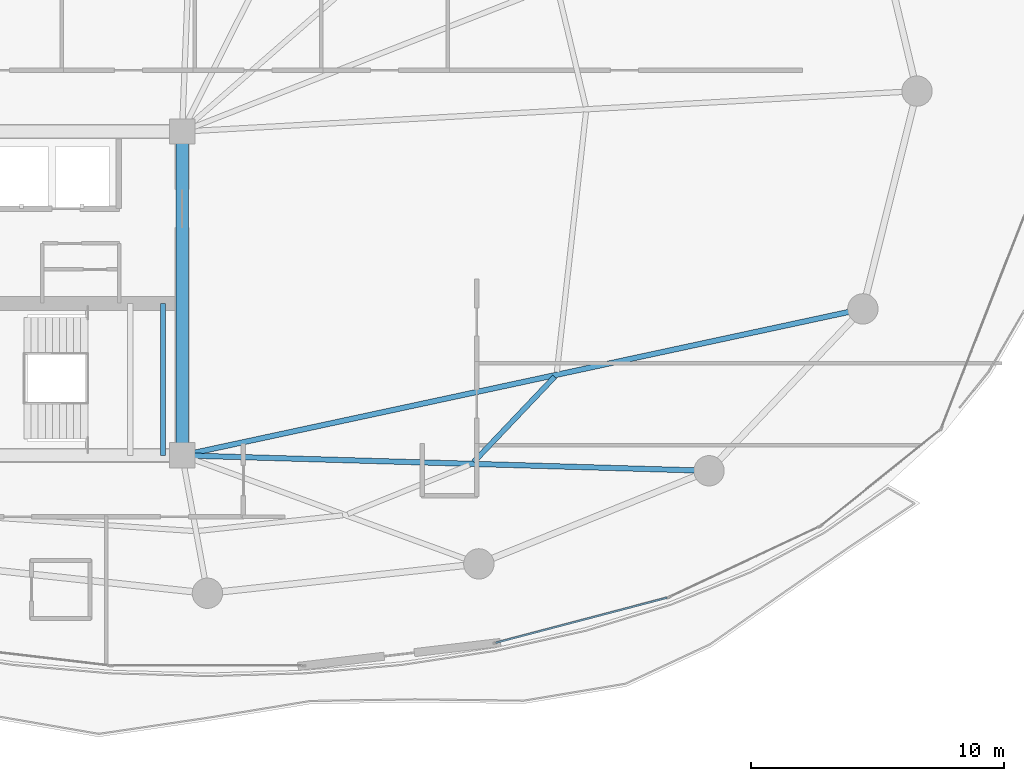
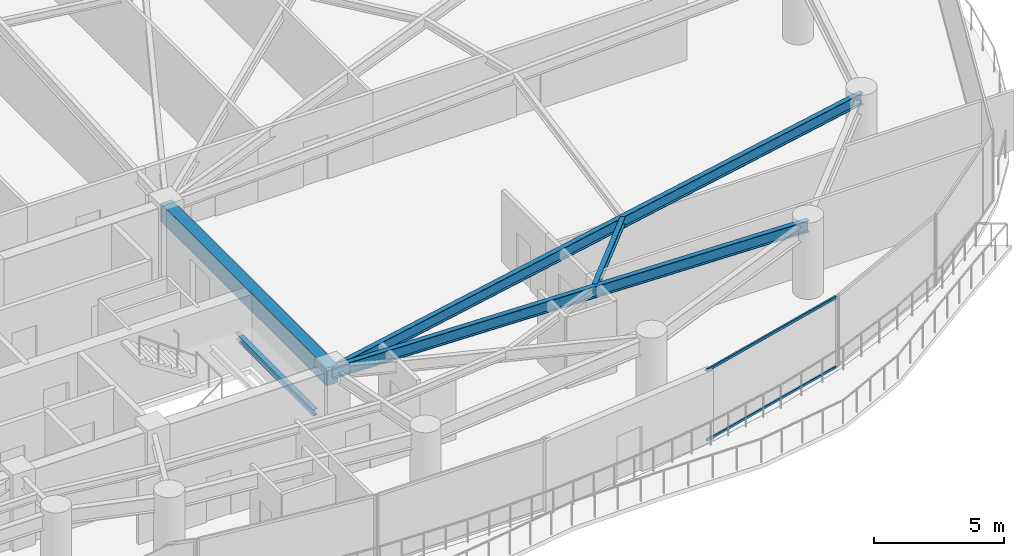
# One storey, part 13 of 33: 5 beams, 2 members, 1 element without a shape of its own.
"""IFC4 building model written with IfcOpenShell, lengths in metres."""

from ifc_helpers import new_model, si_unit, direction, frame, origin, origin_2d, place, context, subcontext, project, spatial, rectangle, hollow_rectangle, i_section, extrude, material, layer, layer_set, material_profile, profile_set, type_object, element, aggregate, save


model = new_model("IFC4")

# Units and contexts
model_context = context("Model", 3, precision=1e-05, world=origin(), true_north=direction((0.0, 1.0)))
body_context = subcontext(model_context, "Body", "Model", "MODEL_VIEW")
ifc_project = project(units=[si_unit("LENGTHUNIT", "METRE"), si_unit("AREAUNIT", "SQUARE_METRE"), si_unit("VOLUMEUNIT", "CUBIC_METRE"), si_unit("PLANEANGLEUNIT", "RADIAN"), si_unit("MASSUNIT", "GRAM", prefix="KILO")], contexts=[model_context])

# Site, building, storey
site_placement = place(None, origin())
site = spatial("IfcSite", under=ifc_project, at=site_placement, CompositionType="ELEMENT")
building_placement = place(site_placement, origin())
building = spatial("IfcBuilding", under=site, at=building_placement, Name="Kazevale Care Tower and Concert Hall", CompositionType="ELEMENT")
storey_placement = place(building_placement, frame((0.0, 0.0, 153.0)))
storey = spatial("IfcBuildingStorey", under=building, at=storey_placement, Name="L40", CompositionType="ELEMENT", Elevation=153.0)

# Curtain wall, members
ifc_material_1 = material(Name="Aluminium 6063-T6 and Low-E Glass", Category="aluminium")
ifc_layer = layer(ifc_material_1, 0.179931640625)
ifc_layer_set = layer_set([ifc_layer], Name="Aluminium 6063-T6 and Low-E Glass")
curtain_wall_type = type_object("IfcCurtainWallType", Name="Sheltered Concave Balcony Curtain Wall CW-5", PredefinedType="NOTDEFINED", material=ifc_layer_set)
curtain_wall_placement = place(storey_placement, origin())
curtain_wall = element("IfcCurtainWall", 1, at=curtain_wall_placement, inside=storey, type_object=curtain_wall_type, Name="cw:L40:f04", PredefinedType="NOTDEFINED")
ifc_material_2 = material(Name="Aluminium 6063-T6", Category="aluminium")
ifc_material_profile_1 = material_profile(ifc_material_2, hollow_rectangle(XDim=0.074951171875, YDim=0.1201171875, WallThickness=0.00390625, at=origin_2d()), Name="ALU75x120x4")
ifc_profile_set_1 = profile_set([ifc_material_profile_1], Name="Aluminium 6063-T6")
member_type = type_object("IfcMemberType", Name="CW-5 Transom ALU75x120x4", PredefinedType="USERDEFINED", material=ifc_profile_set_1)
member_1_placement = place(storey_placement, frame((63.16845703125, 17.971923828125, 0.03759765625), z_axis=(-0.967142752699, -0.254233939321, 0.0), x_axis=(0.254233939321, -0.967142752699, 0.0)))
member_1 = element("IfcMember", 2, at=member_1_placement, type_object=member_type, Name="CW-5 transom 1.1", ObjectType="TRANSOM", PredefinedType="USERDEFINED", context=body_context, shape_type="SweptSolid", body=[
    extrude(hollow_rectangle(XDim=0.074951171875, YDim=0.1201171875, WallThickness=0.00390625, at=origin_2d()), origin(), (0.0, 0.0, 1.0), 6.996826171875),
])
member_2_placement = place(storey_placement, frame((63.16845703125, 17.971923828125, 3.322509765625), z_axis=(-0.967142752699, -0.254233939321, 0.0), x_axis=(0.254233939321, -0.967142752699, 0.0)))
member_2 = element("IfcMember", 3, at=member_2_placement, type_object=member_type, Name="CW-5 transom 1.2", ObjectType="TRANSOM", PredefinedType="USERDEFINED", context=body_context, shape_type="SweptSolid", body=[
    extrude(hollow_rectangle(XDim=0.074951171875, YDim=0.1201171875, WallThickness=0.00390625, at=origin_2d()), origin(), (0.0, 0.0, 1.0), 6.996826171875),
])
aggregate(curtain_wall, [member_1, member_2])

# Beams
ifc_material_3 = material(Name="Concrete C60", Category="concrete")
ifc_material_profile_2 = material_profile(ifc_material_3, rectangle(XDim=0.5, YDim=0.85009765625, at=origin_2d()), Name="RC-B500x850")
ifc_profile_set_2 = profile_set([ifc_material_profile_2], Name="Concrete C60")
beam_type_1 = type_object("IfcBeamType", Name="Core Coupling Beam RC500x850", PredefinedType="LINTEL", material=ifc_profile_set_2)
beam_1_placement = place(storey_placement, frame((44.0, 23.60009765625, 2.93505859375), z_axis=(0.0, 1.0, 0.0), x_axis=(-1.0, 0.0, 0.0)))
element("IfcBeam", 4, at=beam_1_placement, inside=storey, type_object=beam_type_1, Name="beam:L40:coretie:4", PredefinedType="LINTEL", context=body_context, shape_type="SweptSolid", body=[
    extrude(rectangle(XDim=0.5, YDim=0.85009765625, at=origin_2d()), origin(), (0.0, 0.0, 1.0), 12.7998046875),
])
ifc_material_4 = material(Name="Steel ASTM A572 Gr 50", Category="steel")
ifc_material_profile_3 = material_profile(ifc_material_4, i_section(OverallWidth=0.2119140625, OverallDepth=0.5439453125, WebThickness=0.01318359375, FlangeThickness=0.021240234375, at=origin_2d()), Name="W530x123")
ifc_profile_set_3 = profile_set([ifc_material_profile_3], Name="Steel ASTM A572 Gr 50")
beam_type_2 = type_object("IfcBeamType", Name="Radial Floor Girder W530x123", PredefinedType="BEAM", material=ifc_profile_set_3)
beam_2_placement = place(storey_placement, frame((44.0, 23.60009765625, 3.087890625), z_axis=(0.99957133157, -0.029277177187, 0.0), x_axis=(0.029277177187, 0.99957133157, 0.0)))
element("IfcBeam", 5, at=beam_2_placement, inside=storey, type_object=beam_type_2, Name="beam:L40:rad:15", PredefinedType="BEAM", context=body_context, shape_type="SweptSolid", body=[
    extrude(i_section(OverallWidth=0.2119140625, OverallDepth=0.5439453125, WebThickness=0.01318359375, FlangeThickness=0.021240234375, at=origin_2d()), origin(), (0.0, 0.0, 1.0), 20.839111328125),
])
beam_3_placement = place(storey_placement, frame((44.0, 23.60009765625, 3.087890625), z_axis=(0.97762801725, 0.210341293823, 0.0), x_axis=(-0.210341293823, 0.97762801725, 0.0)))
element("IfcBeam", 6, at=beam_3_placement, inside=storey, type_object=beam_type_2, Name="beam:L40:rad:16", PredefinedType="BEAM", context=body_context, shape_type="SweptSolid", body=[
    extrude(i_section(OverallWidth=0.2119140625, OverallDepth=0.5439453125, WebThickness=0.01318359375, FlangeThickness=0.021240234375, at=origin_2d()), origin(), (0.0, 0.0, 1.0), 27.525634765625),
])
ifc_material_profile_4 = material_profile(ifc_material_4, i_section(OverallWidth=0.205078125, OverallDepth=0.35400390625, WebThickness=0.009521484375, FlangeThickness=0.016845703125, at=origin_2d()), Name="W360x79")
ifc_profile_set_4 = profile_set([ifc_material_profile_4], Name="Steel ASTM A572 Gr 50")
beam_type_3 = type_object("IfcBeamType", Name="Secondary Floor Joist W360x79", PredefinedType="JOIST", material=ifc_profile_set_4)
beam_4_placement = place(storey_placement, frame((55.529052734375, 23.341064453125, 3.18310546875), z_axis=(0.688792288395, 0.724958746032, 0.0), x_axis=(-0.724958746032, 0.688792288395, 0.0)))
element("IfcBeam", 7, at=beam_4_placement, inside=storey, type_object=beam_type_3, Name="beam:L40:joist:15", PredefinedType="JOIST", context=body_context, shape_type="SweptSolid", body=[
    extrude(i_section(OverallWidth=0.205078125, OverallDepth=0.35400390625, WebThickness=0.009521484375, FlangeThickness=0.016845703125, at=origin_2d()), origin(), (0.0, 0.0, 1.0), 4.644287109375),
])
ifc_material_profile_5 = material_profile(ifc_material_4, i_section(OverallWidth=0.202880859375, OverallDepth=0.302978515625, WebThickness=0.007568359375, FlangeThickness=0.01318359375, at=origin_2d()), Name="W310x60")
ifc_profile_set_5 = profile_set([ifc_material_profile_5], Name="Steel ASTM A572 Gr 50")
beam_type_4 = type_object("IfcBeamType", Name="Stair & Balcony Trimmer W310x60", PredefinedType="BEAM", material=ifc_profile_set_5)
beam_5_placement = place(storey_placement, frame((43.25, 23.60009765625, 1.448486328125), z_axis=(0.0, 1.0, 0.0), x_axis=(-1.0, 0.0, 0.0)))
element("IfcBeam", 8, at=beam_5_placement, inside=storey, type_object=beam_type_4, Name="beam:L40:sttrim:ST2b", PredefinedType="BEAM", context=body_context, shape_type="SweptSolid", body=[
    extrude(i_section(OverallWidth=0.202880859375, OverallDepth=0.302978515625, WebThickness=0.007568359375, FlangeThickness=0.01318359375, at=origin_2d()), origin(), (0.0, 0.0, 1.0), 6.0),
])

save(model, "model.ifc")
